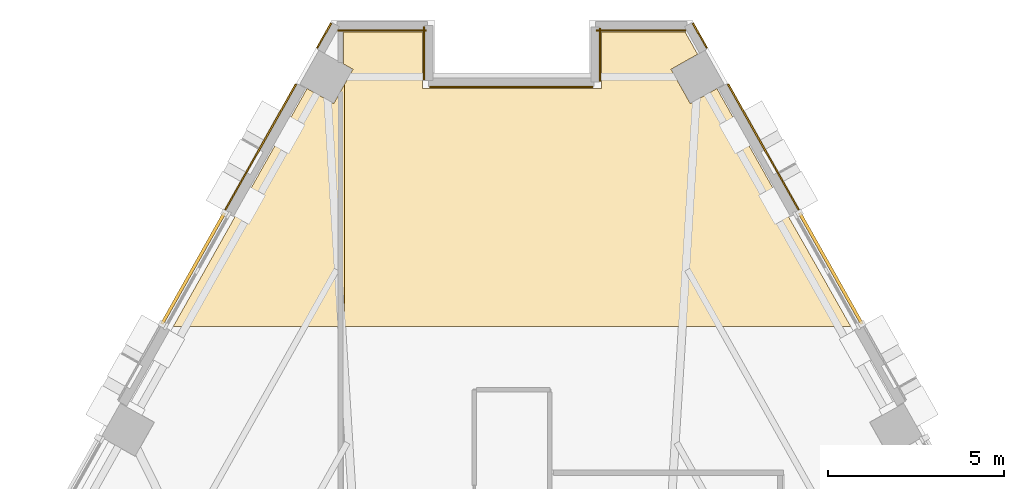
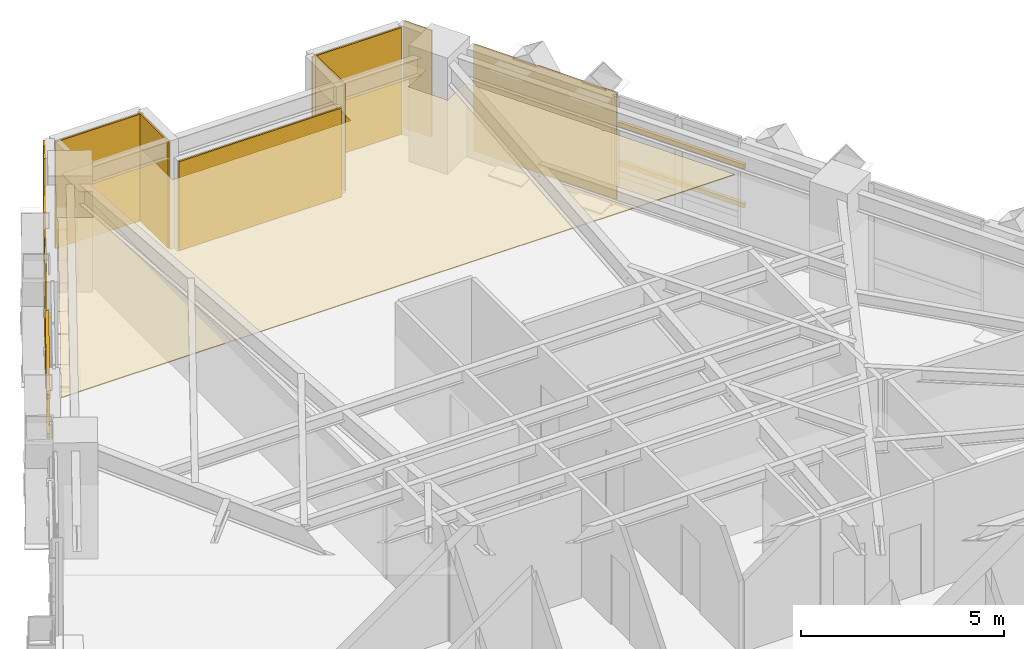
# One storey, part 14 of 14: 11 coverings, 4 shading devices.
"""IFC4 building model written with IfcOpenShell, lengths in metres."""

import ifcopenshell
import ifcopenshell.guid

model = None  # the IFC model being written
_history = None  # IfcOwnerHistory: only IFC2X3 demands one
_inside = {}  # id of a spatial element -> (the spatial element, [elements in it])
_under = {}  # id of a project, library or spatial element -> (it, [spatial elements below it])
_declared = {}  # id of a project -> (the project, [libraries it declares])
_typed = {}  # id of a type object -> (the type object, [elements of that type])
_made_of = {}  # id of a material, layer set ... -> (it, [elements and type objects made of it])


def new_model(schema):
    """Start an empty IFC model of exactly this schema.

    Asked for "IFC4X3", IfcOpenShell would pick the latest addendum, in which some entities
    have other attributes; the version numbers below select the first issue.
    IFC2X3 requires an IfcOwnerHistory on every rooted entity: one is made here for all.
    """
    global model, _history
    if schema == "IFC4X3":
        model = ifcopenshell.file(schema_version=(4, 3, 0, 0))
    else:
        model = ifcopenshell.file(schema=schema)
    _inside.clear()
    _under.clear()
    _declared.clear()
    _typed.clear()
    _made_of.clear()
    _history = None
    if model.schema == "IFC2X3":
        org = make("IfcOrganization", Name="unknown")
        user = make(
            "IfcPersonAndOrganization",
            ThePerson=make("IfcPerson", FamilyName="unknown"),
            TheOrganization=org,
        )
        app = make(
            "IfcApplication",
            ApplicationDeveloper=org,
            Version="unknown",
            ApplicationFullName="unknown",
            ApplicationIdentifier="unknown",
        )
        _history = make(
            "IfcOwnerHistory",
            OwningUser=user,
            OwningApplication=app,
            ChangeAction="ADDED",
            CreationDate=0,
        )
    return model


def make(cls, **values):
    """One entity of the class cls with the attributes given. An attribute that is None is left unset."""
    return model.create_entity(
        cls, **{name: value for name, value in values.items() if value is not None}
    )


def rooted(cls, **values):
    """An entity with a GlobalId (a new one), such as an element, a storey or a relation."""
    return make(cls, GlobalId=ifcopenshell.guid.new(), OwnerHistory=_history, **values)


def si_unit(unit_type, name, prefix=None):
    """IfcSIUnit, for example si_unit("LENGTHUNIT", "METRE", prefix="MILLI")."""
    return make("IfcSIUnit", UnitType=unit_type, Prefix=prefix, Name=name)


def assignment(units):
    """IfcUnitAssignment: the units of a project."""
    return None if units is None else make("IfcUnitAssignment", Units=units)


def point(xyz):
    """IfcCartesianPoint."""
    return None if xyz is None else make("IfcCartesianPoint", Coordinates=xyz)


def direction(xyz):
    """IfcDirection."""
    return None if xyz is None else make("IfcDirection", DirectionRatios=xyz)


def frame(location, z_axis=None, x_axis=None):
    """IfcAxis2Placement3D, a coordinate frame: its origin and axes. An axis left out is left unset."""
    return make(
        "IfcAxis2Placement3D",
        Location=point(location),
        Axis=direction(z_axis),
        RefDirection=direction(x_axis),
    )


def frame_2d(location, x_axis=None):
    """IfcAxis2Placement2D, a coordinate frame in the plane: its origin and x axis."""
    return make(
        "IfcAxis2Placement2D", Location=point(location), RefDirection=direction(x_axis)
    )


def origin():
    """The frame at (0, 0, 0) with its axes left unset."""
    return frame((0.0, 0.0, 0.0))


def origin_2d():
    """The frame at (0, 0) in the plane with its x axis left unset."""
    return frame_2d((0.0, 0.0))


def place(relative_to, where):
    """IfcLocalPlacement: puts the frame where relative to a parent placement (None: the world)."""
    return make(
        "IfcLocalPlacement", PlacementRelTo=relative_to, RelativePlacement=where
    )


def context(
    kind, dimensions, precision=None, world=None, true_north=None, identifier=None
):
    """IfcGeometricRepresentationContext, for example the 3D "Model" context."""
    return make(
        "IfcGeometricRepresentationContext",
        ContextIdentifier=identifier,
        ContextType=kind,
        CoordinateSpaceDimension=dimensions,
        Precision=precision,
        WorldCoordinateSystem=world,
        TrueNorth=true_north,
    )


def subcontext(parent, identifier, kind, view, scale=None):
    """IfcGeometricRepresentationSubContext, for example "Body" below "Model"."""
    return make(
        "IfcGeometricRepresentationSubContext",
        ContextIdentifier=identifier,
        ContextType=kind,
        ParentContext=parent,
        TargetScale=scale,
        TargetView=view,
    )


def project(units=None, contexts=None):
    """IfcProject with its units and contexts."""
    return rooted(
        "IfcProject",
        Name="project",
        RepresentationContexts=contexts,
        UnitsInContext=assignment(units),
    )


def spatial(cls, under=None, at=None, **own):
    """A site, building, storey or space (cls), placed at a placement, below another one or the project."""
    s = rooted(cls, ObjectPlacement=at, **own)
    if under is not None:
        _under.setdefault(under.id(), (under, []))[1].append(s)
    return s


def polyline(points):
    """IfcPolyline through the points."""
    return make("IfcPolyline", Points=[point(p) for p in points])


def profile(cls, at=None, kind="AREA", **sizes):
    """A parametric profile (cls). Its sizes go by their IFC names, for example OverallWidth=200.0."""
    return make(cls, ProfileType=kind, Position=at, **sizes)


def rectangle(**sizes):
    """IfcRectangleProfileDef."""
    return profile("IfcRectangleProfileDef", **sizes)


def outline(outer, holes=None, kind="AREA"):
    """IfcArbitraryClosedProfileDef: a profile drawn as a closed curve; with holes, ...WithVoids."""
    if holes is None:
        return make("IfcArbitraryClosedProfileDef", ProfileType=kind, OuterCurve=outer)
    return make(
        "IfcArbitraryProfileDefWithVoids",
        ProfileType=kind,
        OuterCurve=outer,
        InnerCurves=holes,
    )


def extrude(swept, where, along, depth):
    """IfcExtrudedAreaSolid: the profile swept, set in the frame where, extruded along a direction by depth."""
    return make(
        "IfcExtrudedAreaSolid",
        SweptArea=swept,
        Position=where,
        ExtrudedDirection=direction(along),
        Depth=depth,
    )


def shape(context_of_items, identifier, shape_type, items):
    """IfcShapeRepresentation: the items that make up one representation, for example the "Body"."""
    return make(
        "IfcShapeRepresentation",
        ContextOfItems=context_of_items,
        RepresentationIdentifier=identifier,
        RepresentationType=shape_type,
        Items=items,
    )


def material(Name=None, Category=None):
    """IfcMaterial."""
    return make("IfcMaterial", Name=Name, Category=Category)


def layer(
    of_material, thickness, ventilated=None, Name=None, Category=None, Priority=None
):
    """IfcMaterialLayer: one layer of a wall or slab, of a material (None: an air gap)."""
    return make(
        "IfcMaterialLayer",
        Material=of_material,
        LayerThickness=thickness,
        IsVentilated=ventilated,
        Name=Name,
        Category=Category,
        Priority=Priority,
    )


def layer_set(layers, Name=None):
    """IfcMaterialLayerSet."""
    return make("IfcMaterialLayerSet", MaterialLayers=layers, LayerSetName=Name)


def material_profile(
    of_material, cross_section, Name=None, Category=None, Priority=None
):
    """IfcMaterialProfile: a cross section and its material."""
    return make(
        "IfcMaterialProfile",
        Name=Name,
        Material=of_material,
        Profile=cross_section,
        Priority=Priority,
        Category=Category,
    )


def profile_set(profiles, Name=None, composite=None):
    """IfcMaterialProfileSet."""
    return make(
        "IfcMaterialProfileSet",
        Name=Name,
        MaterialProfiles=profiles,
        CompositeProfile=composite,
    )


def made_of(thing, what):
    """Note that an element or type object is made of a material, layer set ...; save() writes the relation."""
    if what is not None:
        _made_of.setdefault(what.id(), (what, []))[1].append(thing)
    return thing


def type_object(cls, material=None, **own):
    """A type object (cls), such as IfcWallType, which elements share."""
    return made_of(rooted(cls, **own), material)


def element(
    cls,
    number,
    at=None,
    inside=None,
    cuts=None,
    type_object=None,
    material=None,
    context=None,
    identifier="Body",
    shape_type=None,
    held_by="IfcProductDefinitionShape",
    body=None,
    shapes=None,
    **own,
):
    """One element of the class cls, such as IfcWall. Its Tag is "e" and its number.

    at: its placement. inside: the storey or other place that contains it. cuts: it is an
    opening in that element (IfcRelVoidsElement). A single representation is given by context,
    identifier, shape_type and body (its items); several are given by shapes. held_by: the class
    of the entity that holds the representations. save() writes the other relations.
    """
    e = rooted(cls, Tag="e%d" % number, ObjectPlacement=at, **own)
    if body is not None:
        shapes = [shape(context, identifier, shape_type, body)]
    if shapes is not None:
        e.Representation = make(held_by, Representations=shapes)
    if inside is not None:
        _inside.setdefault(inside.id(), (inside, []))[1].append(e)
    if cuts is not None:
        rooted(
            "IfcRelVoidsElement", RelatingBuildingElement=cuts, RelatedOpeningElement=e
        )
    if type_object is not None:
        _typed.setdefault(type_object.id(), (type_object, []))[1].append(e)
    return made_of(e, material)


def aggregate(whole, parts):
    """IfcRelAggregates: a whole, such as a stair, and the parts it consists of."""
    return rooted("IfcRelAggregates", RelatingObject=whole, RelatedObjects=parts)


def save(model, path):
    """Write the relations noted so far, then the file.

    IfcRelAggregates (storeys below a building ...), IfcRelContainedInSpatialStructure (elements
    in a storey), IfcRelDefinesByType, IfcRelAssociatesMaterial and IfcRelDeclares: one each for
    every whole, place, type object, material and project.
    """
    for whole, parts in _under.values():
        aggregate(whole, parts)
    for where, things in _inside.values():
        rooted(
            "IfcRelContainedInSpatialStructure",
            RelatedElements=things,
            RelatingStructure=where,
        )
    for kind, things in _typed.values():
        rooted("IfcRelDefinesByType", RelatedObjects=things, RelatingType=kind)
    for what, things in _made_of.values():
        rooted("IfcRelAssociatesMaterial", RelatedObjects=things, RelatingMaterial=what)
    for by, libraries in _declared.values():
        rooted("IfcRelDeclares", RelatingContext=by, RelatedDefinitions=libraries)
    model.write(path)


model = new_model("IFC4")

# Units and contexts
model_context = context("Model", 3, precision=1e-05, world=origin(), true_north=direction((0.0, 1.0)))
body_context = subcontext(model_context, "Body", "Model", "MODEL_VIEW")
ifc_project = project(units=[si_unit("LENGTHUNIT", "METRE"), si_unit("AREAUNIT", "SQUARE_METRE"), si_unit("VOLUMEUNIT", "CUBIC_METRE"), si_unit("PLANEANGLEUNIT", "RADIAN"), si_unit("MASSUNIT", "GRAM", prefix="KILO")], contexts=[model_context])

# Site, building, storey
site_placement = place(None, origin())
site = spatial("IfcSite", under=ifc_project, at=site_placement, CompositionType="ELEMENT")
building_placement = place(site_placement, origin())
building = spatial("IfcBuilding", under=site, at=building_placement, Name="Quenlor Broadcast Tower", CompositionType="ELEMENT")
storey_placement = place(building_placement, frame((0.0, 0.0, 112.5)))
storey = spatial("IfcBuildingStorey", under=building, at=storey_placement, Name="L30", CompositionType="ELEMENT", Elevation=112.5)

# Coverings
ifc_material_1 = material(Name="Acoustic Mineral Fibre Board", Category="other")
ifc_layer_1 = layer(ifc_material_1, 0.02490234375)
ifc_layer_set_1 = layer_set([ifc_layer_1], Name="Acoustic Perforated Mineral Tile Ceiling 25")
covering_type_1 = type_object("IfcCoveringType", Name="Acoustic Perforated Mineral Tile Ceiling 25", PredefinedType="CEILING", material=ifc_layer_set_1)
covering_1_placement = place(storey_placement, frame((0.0, 0.0, 2.22509765625)))
element("IfcCovering", 1, at=covering_1_placement, inside=storey, type_object=covering_type_1, Name="L30 Acoustic Ceiling L30-31-2", PredefinedType="CEILING", context=body_context, shape_type="SweptSolid", body=[
    extrude(outline(polyline([(-4.780029296875, 19.4384765625), (-4.50244140625, 19.931884765625), (-4.780029296875, 20.087890625), (-4.780029296875, 20.988037109375), (-2.5400390625, 20.988037109375), (-2.5400390625, 19.387939453125), (2.5400390625, 19.387939453125), (2.5400390625, 20.988037109375), (4.904296875, 20.988037109375), (5.2587890625, 20.357421875), (4.50244140625, 19.931884765625), (5.049560546875, 18.959228515625), (5.805908203125, 19.384765625), (7.699951171875, 16.017578125), (7.699951171875, 15.89404296875), (7.71337890625, 15.90966796875), (7.735595703125, 15.92822265625), (9.548583984375, 12.731201171875), (9.59423828125, 12.64990234375), (-4.780029296875, 12.64990234375), (-4.780029296875, 19.4384765625)])), origin(), (0.0, 0.0, 1.0), 0.02490234375),
])
covering_2_placement = place(storey_placement, frame((0.0, 0.0, 2.22509765625)))
element("IfcCovering", 2, at=covering_2_placement, inside=storey, type_object=covering_type_1, Name="L30 Acoustic Ceiling L30-38-3", PredefinedType="CEILING", context=body_context, shape_type="SweptSolid", body=[
    extrude(outline(polyline([(-5.805908203125, 19.384765625), (-5.049560546875, 18.959228515625), (-4.75, 19.49169921875), (-4.75, 12.64990234375), (-9.59423828125, 12.64990234375), (-5.805908203125, 19.384765625)])), origin(), (0.0, 0.0, 1.0), 0.02490234375),
])

# Shading devices
ifc_material_2 = material(Name="Architectural Terracotta Ceramic", Category="masonry")
ifc_material_profile = material_profile(ifc_material_2, rectangle(XDim=0.090087890625, YDim=0.139892578125, at=origin_2d()))
ifc_profile_set = profile_set([ifc_material_profile], Name="Architectural Terracotta Ceramic BAG90x140")
shading_device_type = type_object("IfcShadingDeviceType", Name="Copper Terracotta Baguette Solar Screen 140", PredefinedType="USERDEFINED", material=ifc_profile_set)
for number, where, z_axis, x_axis, name in (
    (3, (8.14697265625, 15.861572265625, 1.169921875), (0.490235552811, -0.871589985464, 0.0), (0.871589985464, 0.490235552811, 0.0), "L30 Terracotta Baguette Screen 1"),
    (4, (8.14697265625, 15.861572265625, 2.340087890625), (0.490235552811, -0.871589985464, 0.0), (0.871589985464, 0.490235552811, 0.0), "L30 Terracotta Baguette Screen 2"),
    (5, (-9.916748046875, 12.715087890625, 1.169921875), (0.490235552811, 0.871589985464, 0.0), (-0.871589985464, 0.490235552811, 0.0), "L30 Terracotta Baguette Screen 1"),
    (6, (-9.916748046875, 12.715087890625, 2.340087890625), (0.490235552811, 0.871589985464, 0.0), (-0.871589985464, 0.490235552811, 0.0), "L30 Terracotta Baguette Screen 2"),
):
    element("IfcShadingDevice", number, at=place(storey_placement, frame(where, z_axis=z_axis, x_axis=x_axis)), inside=storey, type_object=shading_device_type, Name=name, ObjectType="BAGUETTE", PredefinedType="USERDEFINED", context=body_context, shape_type="SweptSolid", body=[
        extrude(rectangle(XDim=0.090087890625, YDim=0.139892578125, at=origin_2d()), origin(), (0.0, 0.0, 1.0), 3.610107421875),
    ])

# Coverings
ifc_material_3 = material(Name="Architectural Terracotta Ceramic", Category="masonry")
ifc_layer_2 = layer(ifc_material_3, 0.044921875)
ifc_layer_set_2 = layer_set([ifc_layer_2], Name="Fluted Terracotta Rainscreen Cladding Panel")
covering_type_2 = type_object("IfcCoveringType", Name="Fluted Terracotta Rainscreen Cladding Panel", PredefinedType="CLADDING", material=ifc_layer_set_2)
covering_3_placement = place(storey_placement, frame((0.0, 0.0, 0.02001953125)))
element("IfcCovering", 7, at=covering_3_placement, inside=storey, type_object=covering_type_2, Name="L30 Terracotta Rainscreen Cladding L30-SHD-NES0", PredefinedType="CLADDING", context=body_context, shape_type="SweptSolid", body=[
    extrude(outline(polyline([(5.105224609375, 21.22607421875), (5.5, 20.524169921875), (5.539306640625, 20.546142578125), (5.144287109375, 21.248046875), (5.105224609375, 21.22607421875)])), origin(), (0.0, 0.0, 1.0), 3.2099609375),
])
covering_4_placement = place(storey_placement, frame((0.0, 0.0, 0.02001953125)))
element("IfcCovering", 8, at=covering_4_placement, inside=storey, type_object=covering_type_2, Name="L30 Terracotta Rainscreen Cladding L30-NEA-SP1", PredefinedType="CLADDING", context=body_context, shape_type="SweptSolid", body=[
    extrude(outline(polyline([(6.10107421875, 19.496826171875), (8.11279296875, 15.919921875), (8.152099609375, 15.94189453125), (6.14013671875, 19.518798828125), (6.10107421875, 19.496826171875)])), origin(), (0.0, 0.0, 1.0), 3.2099609375),
])
covering_5_placement = place(storey_placement, frame((0.0, 0.0, 0.02001953125)))
element("IfcCovering", 9, at=covering_5_placement, inside=storey, type_object=covering_type_2, Name="L30 Terracotta Rainscreen Cladding L30-SHD-NWS1", PredefinedType="CLADDING", context=body_context, shape_type="SweptSolid", body=[
    extrude(outline(polyline([(-5.5, 20.524169921875), (-5.105224609375, 21.22607421875), (-5.144287109375, 21.248046875), (-5.539306640625, 20.546142578125), (-5.5, 20.524169921875)])), origin(), (0.0, 0.0, 1.0), 3.2099609375),
])
covering_6_placement = place(storey_placement, frame((0.0, 0.0, 0.02001953125)))
element("IfcCovering", 10, at=covering_6_placement, inside=storey, type_object=covering_type_2, Name="L30 Terracotta Rainscreen Cladding L30-NWC-SP2", PredefinedType="CLADDING", context=body_context, shape_type="SweptSolid", body=[
    extrude(outline(polyline([(-8.11279296875, 15.919921875), (-6.10107421875, 19.496826171875), (-6.14013671875, 19.518798828125), (-8.152099609375, 15.94189453125), (-8.11279296875, 15.919921875)])), origin(), (0.0, 0.0, 1.0), 3.2099609375),
])
covering_7_placement = place(storey_placement, frame((0.0, 0.0, 0.02001953125)))
element("IfcCovering", 11, at=covering_7_placement, inside=storey, type_object=covering_type_2, Name="L30 Terracotta Rainscreen Cladding L30-CNR-06", PredefinedType="CLADDING", context=body_context, shape_type="SweptSolid", body=[
    extrude(outline(polyline([(4.929443359375, 21.055908203125), (2.389892578125, 21.055908203125), (2.389892578125, 21.010986328125), (4.929443359375, 21.010986328125), (4.929443359375, 21.055908203125)])), origin(), (0.0, 0.0, 1.0), 3.2099609375),
])
covering_8_placement = place(storey_placement, frame((0.0, 0.0, 0.02001953125)))
element("IfcCovering", 12, at=covering_8_placement, inside=storey, type_object=covering_type_2, Name="L30 Terracotta Rainscreen Cladding L30-CNR-07", PredefinedType="CLADDING", context=body_context, shape_type="SweptSolid", body=[
    extrude(outline(polyline([(2.471923828125, 21.097900390625), (2.471923828125, 19.597900390625), (2.51708984375, 19.597900390625), (2.51708984375, 21.097900390625), (2.471923828125, 21.097900390625)])), origin(), (0.0, 0.0, 1.0), 3.2099609375),
])
covering_9_placement = place(storey_placement, frame((0.0, 0.0, 0.02001953125)))
element("IfcCovering", 13, at=covering_9_placement, inside=storey, type_object=covering_type_2, Name="L30 Terracotta Rainscreen Cladding L30-CNR-08", PredefinedType="CLADDING", context=body_context, shape_type="SweptSolid", body=[
    extrude(outline(polyline([(2.2900390625, 19.4560546875), (-2.330078125, 19.4560546875), (-2.330078125, 19.410888671875), (2.2900390625, 19.410888671875), (2.2900390625, 19.4560546875)])), origin(), (0.0, 0.0, 1.0), 2.681884765625),
])
covering_10_placement = place(storey_placement, frame((0.0, 0.0, 0.02001953125)))
element("IfcCovering", 14, at=covering_10_placement, inside=storey, type_object=covering_type_2, Name="L30 Terracotta Rainscreen Cladding L30-CNR-09", PredefinedType="CLADDING", context=body_context, shape_type="SweptSolid", body=[
    extrude(outline(polyline([(-2.471923828125, 19.637939453125), (-2.471923828125, 21.137939453125), (-2.51708984375, 21.137939453125), (-2.51708984375, 19.637939453125), (-2.471923828125, 19.637939453125)])), origin(), (0.0, 0.0, 1.0), 3.2099609375),
])
covering_11_placement = place(storey_placement, frame((0.0, 0.0, 0.02001953125)))
element("IfcCovering", 15, at=covering_11_placement, inside=storey, type_object=covering_type_2, Name="L30 Terracotta Rainscreen Cladding L30-CNR-10", PredefinedType="CLADDING", context=body_context, shape_type="SweptSolid", body=[
    extrude(outline(polyline([(-2.429931640625, 21.055908203125), (-4.929443359375, 21.055908203125), (-4.929443359375, 21.010986328125), (-2.429931640625, 21.010986328125), (-2.429931640625, 21.055908203125)])), origin(), (0.0, 0.0, 1.0), 3.2099609375),
])

save(model, "model.ifc")
